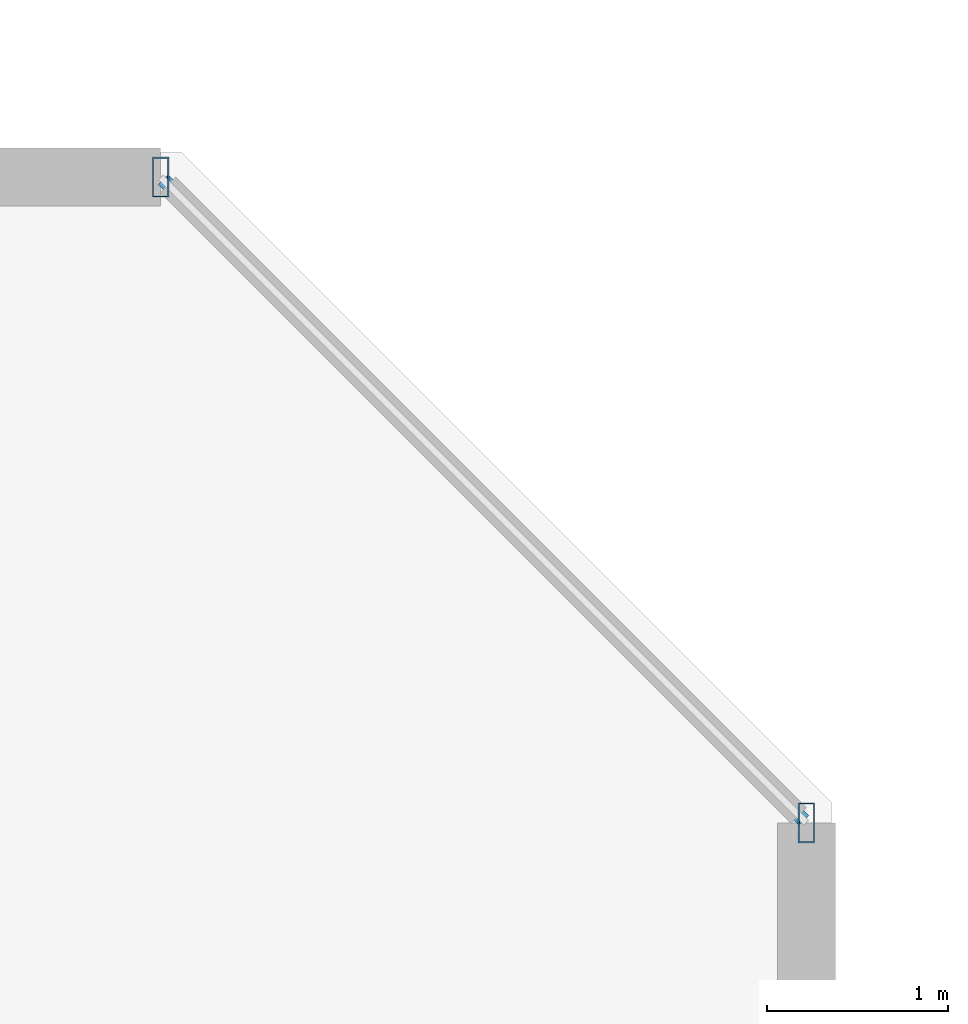
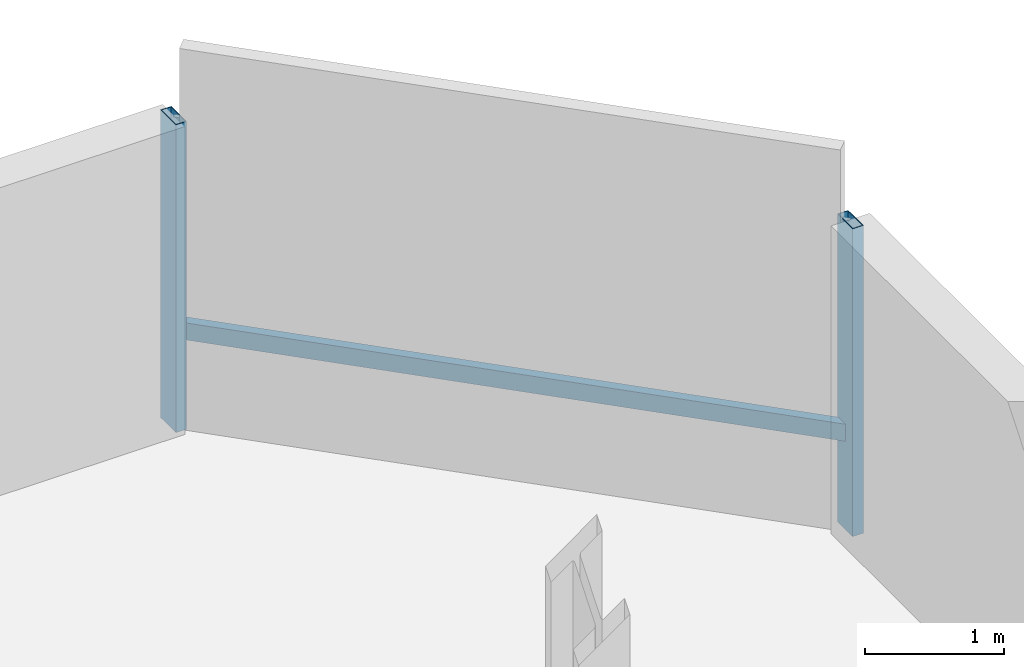
# One storey, part 10 of 34: 3 members, 1 element without a shape of its own.
"""IFC4 building model written with IfcOpenShell, lengths in metres."""

from ifc_helpers import new_model, si_unit, direction, frame, origin, origin_2d, place, context, subcontext, project, spatial, hollow_rectangle, extrude, material, material_profile, profile_set, type_object, element, aggregate, save


model = new_model("IFC4")

# Units and contexts
model_context = context("Model", 3, precision=1e-05, world=origin(), true_north=direction((0.0, 1.0)))
body_context = subcontext(model_context, "Body", "Model", "MODEL_VIEW")
ifc_project = project(units=[si_unit("LENGTHUNIT", "METRE"), si_unit("AREAUNIT", "SQUARE_METRE"), si_unit("VOLUMEUNIT", "CUBIC_METRE"), si_unit("PLANEANGLEUNIT", "RADIAN"), si_unit("MASSUNIT", "GRAM", prefix="KILO")], contexts=[model_context])

# Site, building, storey
site_placement = place(None, origin())
site = spatial("IfcSite", under=ifc_project, at=site_placement, CompositionType="ELEMENT")
building_placement = place(site_placement, origin())
building = spatial("IfcBuilding", under=site, at=building_placement, Name="Thornwick Lancets Civic Towers", CompositionType="ELEMENT")
storey_placement = place(building_placement, frame((0.0, 0.0, 57.300048828125)))
storey = spatial("IfcBuildingStorey", under=building, at=storey_placement, Name="L14", CompositionType="ELEMENT", Elevation=57.300048828125)

# Curtain wall, members
ifc_material_1 = material(Name="Low-zone chamfered-corner unitised glass curtain wall", Category="glass")
curtain_wall_type = type_object("IfcCurtainWallType", Name="CW_SYS_03", PredefinedType="NOTDEFINED", material=ifc_material_1)
curtain_wall_placement = place(storey_placement, origin())
curtain_wall = element("IfcCurtainWall", 1, at=curtain_wall_placement, inside=storey, type_object=curtain_wall_type, Name="L14 Curtain Wall CW-L14-A-E3", PredefinedType="NOTDEFINED")
ifc_material_2 = material(Name="Thermally broken bronze aluminium S355", Category="steel")
ifc_material_profile_1 = material_profile(ifc_material_2, hollow_rectangle(XDim=0.090087890625, YDim=0.219970703125, WallThickness=0.00634765625, at=origin_2d()), Name="RHS 220x90x6.3")
ifc_profile_set_1 = profile_set([ifc_material_profile_1], Name="Thermally broken bronze aluminium S355")
member_type_1 = type_object("IfcMemberType", Name="CW_MUL_220", PredefinedType="MULLION", material=ifc_profile_set_1)
member_1_placement = place(storey_placement, frame((49.76171875, 41.702880859375, 0.0), z_axis=(0.0, 0.0, 1.0), x_axis=(1.0, 0.0, 0.0)))
member_1 = element("IfcMember", 2, at=member_1_placement, type_object=member_type_1, Name="CW-L14-A-E3 Mullion 0", PredefinedType="MULLION", context=body_context, shape_type="SweptSolid", body=[
    extrude(hollow_rectangle(XDim=0.090087890625, YDim=0.219970703125, WallThickness=0.00634765625, at=origin_2d()), origin(), (0.0, 0.0, 1.0), 2.699951171875),
])
member_2_placement = place(storey_placement, frame((46.202880859375, 45.26171875, 0.0), z_axis=(0.0, 0.0, 1.0), x_axis=(1.0, 0.0, 0.0)))
member_2 = element("IfcMember", 3, at=member_2_placement, type_object=member_type_1, Name="CW-L14-A-E3 Mullion 1", PredefinedType="MULLION", context=body_context, shape_type="SweptSolid", body=[
    extrude(hollow_rectangle(XDim=0.090087890625, YDim=0.219970703125, WallThickness=0.00634765625, at=origin_2d()), origin(), (0.0, 0.0, 1.0), 2.699951171875),
])
ifc_material_profile_2 = material_profile(ifc_material_2, hollow_rectangle(XDim=0.074951171875, YDim=0.14990234375, WallThickness=0.0048828125, at=origin_2d()), Name="RHS 150x75x5")
ifc_profile_set_2 = profile_set([ifc_material_profile_2], Name="Thermally broken bronze aluminium S355")
member_type_2 = type_object("IfcMemberType", Name="CW_TRN_150", PredefinedType="USERDEFINED", material=ifc_profile_set_2)
member_3_placement = place(storey_placement, frame((49.74755859375, 41.716796875, 0.849853515625), z_axis=(-0.707106781187, 0.707106781187, 0.0), x_axis=(-0.707106781187, -0.707106781187, 0.0)))
member_3 = element("IfcMember", 4, at=member_3_placement, type_object=member_type_2, Name="CW-L14-A-E3 Transom 0", ObjectType="TRANSOM", PredefinedType="USERDEFINED", context=body_context, shape_type="SweptSolid", body=[
    extrude(hollow_rectangle(XDim=0.074951171875, YDim=0.14990234375, WallThickness=0.0048828125, at=origin_2d()), origin(), (0.0, 0.0, 1.0), 4.9931640625),
])
aggregate(curtain_wall, [member_1, member_2, member_3])

save(model, "model.ifc")
